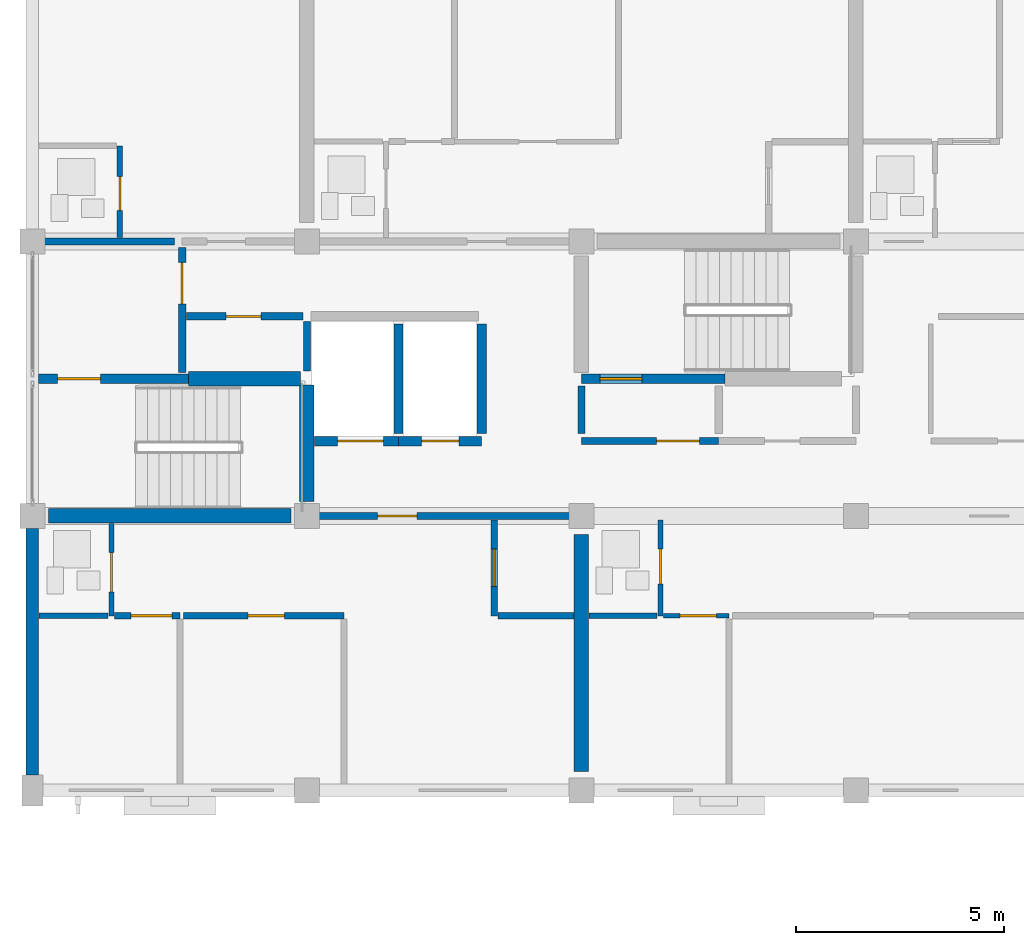
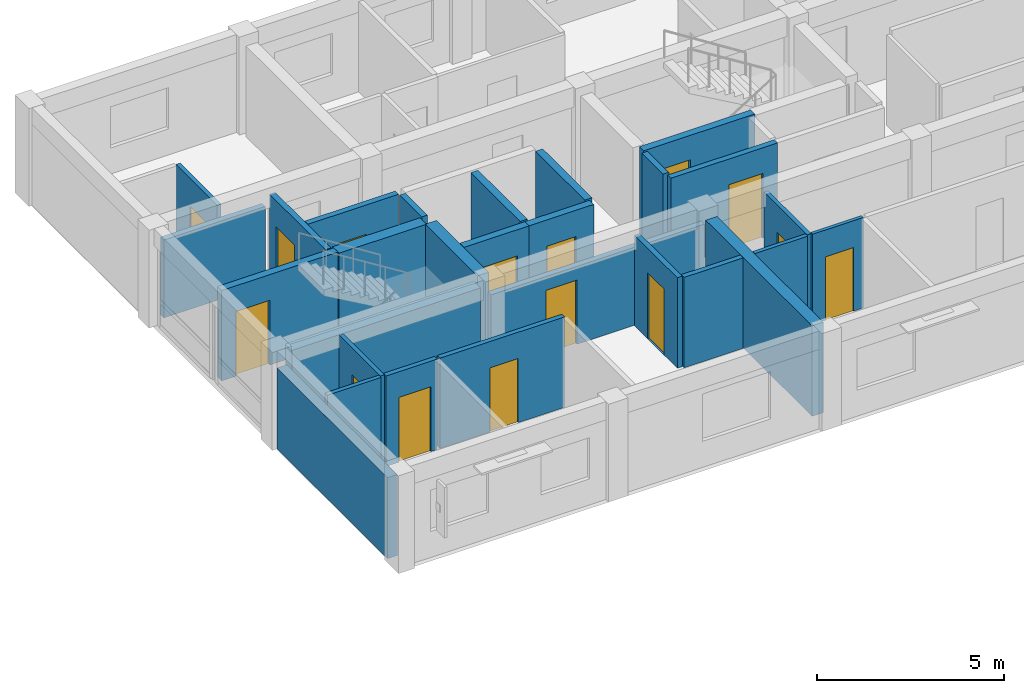
# One storey, part 33 of 52: 28 walls, 15 doors, 15 openings.
"""IFC4 building model written with IfcOpenShell, lengths in metres."""

from ifc_helpers import new_model, si_unit, direction, frame, frame_2d, origin, place, context, subcontext, project, spatial, rectangle, extrude, material, layer, layer_set, type_object, element, fill, save


model = new_model("IFC4")

# Units and contexts
model_context = context("Model", 3, precision=1e-05, world=origin(), true_north=direction((0.0, 1.0)))
body_context = subcontext(model_context, "Body", "Model", "MODEL_VIEW")
ifc_project = project(units=[si_unit("LENGTHUNIT", "METRE"), si_unit("AREAUNIT", "SQUARE_METRE"), si_unit("VOLUMEUNIT", "CUBIC_METRE"), si_unit("PLANEANGLEUNIT", "RADIAN"), si_unit("MASSUNIT", "GRAM", prefix="KILO")], contexts=[model_context])

# Site, building, storey
site_placement = place(None, origin())
site = spatial("IfcSite", under=ifc_project, at=site_placement, CompositionType="ELEMENT")
building_placement = place(site_placement, origin())
building = spatial("IfcBuilding", under=site, at=building_placement, Name="Kernevlak Ridge Housing Community", CompositionType="ELEMENT")
storey_placement = place(building_placement, frame((0.0, 0.0, 11.60009765625)))
storey = spatial("IfcBuildingStorey", under=building, at=storey_placement, Name="L03", CompositionType="ELEMENT", Elevation=11.60009765625)

# Wall
ifc_material_1 = material(Name="Concrete block masonry M10", Category="masonry")
ifc_layer_1 = layer(ifc_material_1, 0.300048828125, Name="Concrete block masonry M10")
ifc_layer_set_1 = layer_set([ifc_layer_1], Name="Concrete block masonry M10")
wall_type_1 = type_object("IfcWallType", Name="EW-01", PredefinedType="STANDARD", material=ifc_layer_set_1)
wall_1_placement = place(storey_placement, frame((15.60009765625, 76.375, 0.0), z_axis=(0.0, 0.0, 1.0), x_axis=(0.0, 1.0, 0.0)))
element("IfcWall", 1, at=wall_1_placement, inside=storey, type_object=wall_type_1, Name="Exterior wall EW-01 L03 57", PredefinedType="STANDARD", context=body_context, shape_type="SweptSolid", body=[
    extrude(rectangle(XDim=5.925048828125, YDim=0.300048828125, at=frame_2d((2.96240234375, 0.0))), origin(), (0.0, 0.0, 1.0), 2.64990234375),
])

# Wall, opening, door
ifc_material_2 = material(Name="Concrete C35/45", Category="concrete")
ifc_layer_2 = layer(ifc_material_2, 0.22509765625, Name="Concrete C35/45")
ifc_layer_set_2 = layer_set([ifc_layer_2], Name="Concrete C35/45")
wall_type_2 = type_object("IfcWallType", Name="PW-01", PredefinedType="STANDARD", material=ifc_layer_set_2)
wall_2_placement = place(storey_placement, frame((15.75, 85.89990234375, 0.0), z_axis=(0.0, 0.0, 1.0), x_axis=(1.0, 0.0, 0.0)))
wall_2 = element("IfcWall", 2, at=wall_2_placement, inside=storey, type_object=wall_type_2, Name="Interior wall PW-01 WAL-INT-L03-0191", PredefinedType="STANDARD", context=body_context, shape_type="SweptSolid", body=[
    extrude(rectangle(XDim=3.60009765625, YDim=0.22509765625, at=frame_2d((1.800048828125, 0.0))), origin(), (0.0, 0.0, 1.0), 2.9599609375),
])
opening_1_placement = place(wall_2_placement, frame((0.449951171875, 0.0, 0.0)))
opening_1 = element("IfcOpeningElement", 3, at=opening_1_placement, cuts=wall_2, Name="Opening D096", PredefinedType="OPENING", context=body_context, shape_type="SweptSolid", body=[
    extrude(rectangle(XDim=1.0400390625, YDim=2.1201171875, at=frame_2d((0.52001953125, 1.06005859375))), frame((0.0, 0.12255859375, 0.0), z_axis=(0.0, -1.0, 0.0), x_axis=(1.0, 0.0, 0.0)), (0.0, 0.0, 1.0), 0.2451171875),
])
ifc_material_3 = material(Name="Fire-rated sheet steel leaf", Category="steel")
door_type_1 = type_object("IfcDoorType", Name="DT-16", OperationType="NOTDEFINED", PredefinedType="DOOR", material=ifc_material_3)
door_1_placement = place(opening_1_placement, origin())
door_1 = element("IfcDoor", 4, at=door_1_placement, inside=storey, type_object=door_type_1, Name="Block A Stair 1 fire door D096", OperationType="SINGLE_SWING_RIGHT", OverallHeight=2.1201171875, OverallWidth=1.0400390625, PredefinedType="DOOR", context=body_context, shape_type="SweptSolid", body=[
    extrude(rectangle(XDim=1.0400390625, YDim=2.1201171875, at=frame_2d((0.52001953125, 1.06005859375))), frame((0.0, 0.02490234375, 0.0), z_axis=(0.0, -1.0, 0.0), x_axis=(1.0, 0.0, 0.0)), (0.0, 0.0, 1.0), 0.050048828125),
])
fill(opening_1, door_1)

wall_3_placement = place(storey_placement, frame((22.385009765625, 84.39990234375, 0.0), z_axis=(0.0, 0.0, 1.0), x_axis=(1.0, 0.0, 0.0)))
wall_3 = element("IfcWall", 5, at=wall_3_placement, inside=storey, type_object=wall_type_2, Name="Interior wall PW-01 WAL-INT-L03-0195", PredefinedType="STANDARD", context=body_context, shape_type="SweptSolid", body=[
    extrude(rectangle(XDim=2.014892578125, YDim=0.22509765625, at=frame_2d((1.00732421875, 0.0))), origin(), (0.0, 0.0, 1.0), 2.9599609375),
])
opening_2_placement = place(wall_3_placement, frame((0.550048828125, 0.0, 0.0)))
opening_2 = element("IfcOpeningElement", 6, at=opening_2_placement, cuts=wall_3, Name="Opening LD08", PredefinedType="OPENING", context=body_context, shape_type="SweptSolid", body=[
    extrude(rectangle(XDim=1.10009765625, YDim=2.10009765625, at=frame_2d((0.550048828125, 1.050048828125))), frame((0.0, 0.12255859375, 0.0), z_axis=(0.0, -1.0, 0.0), x_axis=(1.0, 0.0, 0.0)), (0.0, 0.0, 1.0), 0.2451171875),
])
ifc_material_4 = material(Name="Stainless steel EN 1.4401", Category="steel")
door_type_2 = type_object("IfcDoorType", Name="DT-LD1", OperationType="DOUBLE_DOOR_SLIDING", PredefinedType="DOOR", material=ifc_material_4)
door_2_placement = place(opening_2_placement, origin())
door_2 = element("IfcDoor", 7, at=door_2_placement, inside=storey, type_object=door_type_2, Name="Lift LF-A1 landing door LD08", OperationType="DOUBLE_DOOR_SLIDING", OverallHeight=2.10009765625, OverallWidth=1.10009765625, PredefinedType="DOOR", context=body_context, shape_type="SweptSolid", body=[
    extrude(rectangle(XDim=1.10009765625, YDim=2.10009765625, at=frame_2d((0.550048828125, 1.050048828125))), frame((0.0, 0.02490234375, 0.0), z_axis=(0.0, -1.0, 0.0), x_axis=(1.0, 0.0, 0.0)), (0.0, 0.0, 1.0), 0.050048828125),
])
fill(opening_2, door_2)

wall_4_placement = place(storey_placement, frame((24.39990234375, 84.39990234375, 0.0), z_axis=(0.0, 0.0, 1.0), x_axis=(1.0, 0.0, 0.0)))
wall_4 = element("IfcWall", 8, at=wall_4_placement, inside=storey, type_object=wall_type_2, Name="Interior wall PW-01 WAL-INT-L03-0196", PredefinedType="STANDARD", context=body_context, shape_type="SweptSolid", body=[
    extrude(rectangle(XDim=2.0, YDim=0.22509765625, at=frame_2d((1.0, 0.0))), origin(), (0.0, 0.0, 1.0), 2.9599609375),
])
opening_3_placement = place(wall_4_placement, frame((0.550048828125, 0.0, 0.0)))
opening_3 = element("IfcOpeningElement", 9, at=opening_3_placement, cuts=wall_4, Name="Opening LD09", PredefinedType="OPENING", context=body_context, shape_type="SweptSolid", body=[
    extrude(rectangle(XDim=0.89990234375, YDim=2.10009765625, at=frame_2d((0.449951171875, 1.050048828125))), frame((0.0, 0.12255859375, 0.0), z_axis=(0.0, -1.0, 0.0), x_axis=(1.0, 0.0, 0.0)), (0.0, 0.0, 1.0), 0.2451171875),
])
door_type_3 = type_object("IfcDoorType", Name="DT-LD2", OperationType="DOUBLE_DOOR_SLIDING", PredefinedType="DOOR", material=ifc_material_4)
door_3_placement = place(opening_3_placement, origin())
door_3 = element("IfcDoor", 10, at=door_3_placement, inside=storey, type_object=door_type_3, Name="Lift LF-A2 landing door LD09", OperationType="DOUBLE_DOOR_SLIDING", OverallHeight=2.10009765625, OverallWidth=0.89990234375, PredefinedType="DOOR", context=body_context, shape_type="SweptSolid", body=[
    extrude(rectangle(XDim=0.89990234375, YDim=2.10009765625, at=frame_2d((0.449951171875, 1.050048828125))), frame((0.0, 0.02490234375, 0.0), z_axis=(0.0, -1.0, 0.0), x_axis=(1.0, 0.0, 0.0)), (0.0, 0.0, 1.0), 0.050048828125),
])
fill(opening_3, door_3)

# Walls
for number, where, z_axis, x_axis, name in (
    (11, (24.39990234375, 84.580078125, 0.0), (0.0, 0.0, 1.0), (0.0, 1.0, 0.0), "Interior wall PW-01 WAL-INT-L03-0199"),
    (12, (26.39990234375, 84.580078125, 0.0), (0.0, 0.0, 1.0), (0.0, 1.0, 0.0), "Interior wall PW-01 WAL-INT-L03-0200"),
):
    element("IfcWall", number, at=place(storey_placement, frame(where, z_axis=z_axis, x_axis=x_axis)), inside=storey, type_object=wall_type_2, Name=name, PredefinedType="STANDARD", context=body_context, shape_type="SweptSolid", body=[
        extrude(rectangle(XDim=2.639892578125, YDim=0.22509765625, at=frame_2d((1.31982421875, 0.0))), origin(), (0.0, 0.0, 1.0), 2.9599609375),
    ])

# Wall, opening, door
wall_5_placement = place(storey_placement, frame((28.800048828125, 85.89990234375, 0.0), z_axis=(0.0, 0.0, 1.0), x_axis=(1.0, 0.0, 0.0)))
wall_5 = element("IfcWall", 13, at=wall_5_placement, inside=storey, type_object=wall_type_2, Name="Interior wall PW-01 WAL-INT-L03-0201", PredefinedType="STANDARD", context=body_context, shape_type="SweptSolid", body=[
    extrude(rectangle(XDim=3.449951171875, YDim=0.22509765625, at=frame_2d((1.72509765625, 0.0))), origin(), (0.0, 0.0, 1.0), 2.9599609375),
])
opening_4_placement = place(wall_5_placement, frame((0.449951171875, 0.0, 0.0)))
opening_4 = element("IfcOpeningElement", 14, at=opening_4_placement, cuts=wall_5, Name="Opening D099", PredefinedType="OPENING", context=body_context, shape_type="SweptSolid", body=[
    extrude(rectangle(XDim=1.0, YDim=2.159912109375, at=frame_2d((0.5, 1.080078125))), frame((0.0, 0.12255859375, 0.0), z_axis=(0.0, -1.0, 0.0), x_axis=(1.0, 0.0, 0.0)), (0.0, 0.0, 1.0), 0.2451171875),
])
door_type_4 = type_object("IfcDoorType", Name="DT-15", OperationType="NOTDEFINED", PredefinedType="DOOR", material=ifc_material_3)
door_4_placement = place(opening_4_placement, origin())
door_4 = element("IfcDoor", 15, at=door_4_placement, inside=storey, type_object=door_type_4, Name="Block A Stair 2 fire door D099", OperationType="SINGLE_SWING_LEFT", OverallHeight=2.159912109375, OverallWidth=1.0, PredefinedType="DOOR", context=body_context, shape_type="SweptSolid", body=[
    extrude(rectangle(XDim=1.0, YDim=2.159912109375, at=frame_2d((0.5, 1.080078125))), frame((0.0, 0.02490234375, 0.0), z_axis=(0.0, -1.0, 0.0), x_axis=(1.0, 0.0, 0.0)), (0.0, 0.0, 1.0), 0.050048828125),
])
fill(opening_4, door_4)

ifc_layer_3 = layer(ifc_material_1, 0.175048828125, Name="Concrete block masonry M10")
ifc_layer_set_3 = layer_set([ifc_layer_3], Name="Concrete block masonry M10")
wall_type_3 = type_object("IfcWallType", Name="PW-02", PredefinedType="PARTITIONING", material=ifc_layer_set_3)
wall_6_placement = place(storey_placement, frame((19.199951171875, 86.050048828125, 0.0), z_axis=(0.0, 0.0, 1.0), x_axis=(0.0, 1.0, 0.0)))
wall_6 = element("IfcWall", 16, at=wall_6_placement, inside=storey, type_object=wall_type_3, Name="Interior wall PW-02 WAL-INT-L03-0192", PredefinedType="PARTITIONING", context=body_context, shape_type="SweptSolid", body=[
    extrude(rectangle(XDim=3.0, YDim=0.175048828125, at=frame_2d((1.5, 0.0))), origin(), (0.0, 0.0, 1.0), 2.9599609375),
])
opening_5_placement = place(wall_6_placement, frame((1.64990234375, 0.0, 0.0)))
opening_5 = element("IfcOpeningElement", 17, at=opening_5_placement, cuts=wall_6, Name="Opening D097", PredefinedType="OPENING", context=body_context, shape_type="SweptSolid", body=[
    extrude(rectangle(XDim=1.0, YDim=2.10009765625, at=frame_2d((0.5, 1.050048828125))), frame((0.0, 0.097412109375, 0.0), z_axis=(0.0, -1.0, 0.0), x_axis=(1.0, 0.0, 0.0)), (0.0, 0.0, 1.0), 0.195068359375),
])
door_type_5 = type_object("IfcDoorType", Name="DT-05", OperationType="NOTDEFINED", PredefinedType="DOOR", material=ifc_material_3)
door_5_placement = place(opening_5_placement, origin())
door_5 = element("IfcDoor", 18, at=door_5_placement, inside=storey, type_object=door_type_5, Name="Block A Firefighting lobby 1 door D097", OperationType="SINGLE_SWING_LEFT", OverallHeight=2.10009765625, OverallWidth=1.0, PredefinedType="DOOR", context=body_context, shape_type="SweptSolid", body=[
    extrude(rectangle(XDim=1.0, YDim=2.10009765625, at=frame_2d((0.5, 1.050048828125))), frame((0.0, 0.02490234375, 0.0), z_axis=(0.0, -1.0, 0.0), x_axis=(1.0, 0.0, 0.0)), (0.0, 0.0, 1.0), 0.050048828125),
])
fill(opening_5, door_5)

wall_7_placement = place(storey_placement, frame((19.300048828125, 87.39990234375, 0.0), z_axis=(0.0, 0.0, 1.0), x_axis=(1.0, 0.0, 0.0)))
wall_7 = element("IfcWall", 19, at=wall_7_placement, inside=storey, type_object=wall_type_3, Name="Interior wall PW-02 WAL-INT-L03-0193", PredefinedType="PARTITIONING", context=body_context, shape_type="SweptSolid", body=[
    extrude(rectangle(XDim=2.800048828125, YDim=0.175048828125, at=frame_2d((1.39990234375, 0.0))), origin(), (0.0, 0.0, 1.0), 2.9599609375),
])
opening_6_placement = place(wall_7_placement, frame((0.949951171875, 0.0, 0.0)))
opening_6 = element("IfcOpeningElement", 20, at=opening_6_placement, cuts=wall_7, Name="Opening D098", PredefinedType="OPENING", context=body_context, shape_type="SweptSolid", body=[
    extrude(rectangle(XDim=0.85009765625, YDim=2.0, at=frame_2d((0.425048828125, 1.0))), frame((0.0, 0.097412109375, 0.0), z_axis=(0.0, -1.0, 0.0), x_axis=(1.0, 0.0, 0.0)), (0.0, 0.0, 1.0), 0.195068359375),
])
door_type_6 = type_object("IfcDoorType", Name="DT-07", OperationType="NOTDEFINED", PredefinedType="DOOR", material=ifc_material_3)
door_6_placement = place(opening_6_placement, origin())
door_6 = element("IfcDoor", 21, at=door_6_placement, inside=storey, type_object=door_type_6, Name="Block A Riser shaft door D098", OperationType="SINGLE_SWING_RIGHT", OverallHeight=2.0, OverallWidth=0.85009765625, PredefinedType="DOOR", context=body_context, shape_type="SweptSolid", body=[
    extrude(rectangle(XDim=0.85009765625, YDim=2.0, at=frame_2d((0.425048828125, 1.0))), frame((0.0, 0.02490234375, 0.0), z_axis=(0.0, -1.0, 0.0), x_axis=(1.0, 0.0, 0.0)), (0.0, 0.0, 1.0), 0.050048828125),
])
fill(opening_6, door_6)

# Wall
wall_8_placement = place(storey_placement, frame((22.199951171875, 86.080078125, 0.0), z_axis=(0.0, 0.0, 1.0), x_axis=(0.0, 1.0, 0.0)))
element("IfcWall", 22, at=wall_8_placement, inside=storey, type_object=wall_type_3, Name="Interior wall PW-02 WAL-INT-L03-0194", PredefinedType="PARTITIONING", context=body_context, shape_type="SweptSolid", body=[
    extrude(rectangle(XDim=1.18994140625, YDim=0.175048828125, at=frame_2d((0.594970703125, 0.0))), origin(), (0.0, 0.0, 1.0), 2.9599609375),
])

# Wall, opening, door
wall_9_placement = place(storey_placement, frame((28.800048828125, 84.39990234375, 0.0), z_axis=(0.0, 0.0, 1.0), x_axis=(1.0, 0.0, 0.0)))
wall_9 = element("IfcWall", 23, at=wall_9_placement, inside=storey, type_object=wall_type_3, Name="Interior wall PW-02 WAL-INT-L03-0202", PredefinedType="PARTITIONING", context=body_context, shape_type="SweptSolid", body=[
    extrude(rectangle(XDim=3.300048828125, YDim=0.175048828125, at=frame_2d((1.64990234375, 0.0))), origin(), (0.0, 0.0, 1.0), 2.9599609375),
])
opening_7_placement = place(wall_9_placement, frame((1.800048828125, 0.0, 0.0)))
opening_7 = element("IfcOpeningElement", 24, at=opening_7_placement, cuts=wall_9, Name="Opening D100", PredefinedType="OPENING", context=body_context, shape_type="SweptSolid", body=[
    extrude(rectangle(XDim=1.0400390625, YDim=2.1201171875, at=frame_2d((0.52001953125, 1.06005859375))), frame((0.0, 0.097412109375, 0.0), z_axis=(0.0, -1.0, 0.0), x_axis=(1.0, 0.0, 0.0)), (0.0, 0.0, 1.0), 0.195068359375),
])
door_7_placement = place(opening_7_placement, origin())
door_7 = element("IfcDoor", 25, at=door_7_placement, inside=storey, type_object=door_type_1, Name="Block A Firefighting lobby 2 door D100", OperationType="SINGLE_SWING_RIGHT", OverallHeight=2.1201171875, OverallWidth=1.0400390625, PredefinedType="DOOR", context=body_context, shape_type="SweptSolid", body=[
    extrude(rectangle(XDim=1.0400390625, YDim=2.1201171875, at=frame_2d((0.52001953125, 1.06005859375))), frame((0.0, 0.02490234375, 0.0), z_axis=(0.0, -1.0, 0.0), x_axis=(1.0, 0.0, 0.0)), (0.0, 0.0, 1.0), 0.050048828125),
])
fill(opening_7, door_7)

# Wall
wall_10_placement = place(storey_placement, frame((28.800048828125, 84.580078125, 0.0), z_axis=(0.0, 0.0, 1.0), x_axis=(0.0, 1.0, 0.0)))
element("IfcWall", 26, at=wall_10_placement, inside=storey, type_object=wall_type_3, Name="Interior wall PW-02 WAL-INT-L03-0204", PredefinedType="PARTITIONING", context=body_context, shape_type="SweptSolid", body=[
    extrude(rectangle(XDim=1.139892578125, YDim=0.175048828125, at=frame_2d((0.56982421875, 0.0))), origin(), (0.0, 0.0, 1.0), 2.9599609375),
])

# Wall, opening, door
wall_11_placement = place(storey_placement, frame((22.199951171875, 82.60009765625, 0.0), z_axis=(0.0, 0.0, 1.0), x_axis=(1.0, 0.0, 0.0)))
wall_11 = element("IfcWall", 27, at=wall_11_placement, inside=storey, type_object=wall_type_3, Name="Interior wall PW-02 WAL-INT-L03-0212", PredefinedType="PARTITIONING", context=body_context, shape_type="SweptSolid", body=[
    extrude(rectangle(XDim=6.60009765625, YDim=0.175048828125, at=frame_2d((3.300048828125, 0.0))), origin(), (0.0, 0.0, 1.0), 2.5498046875),
])
opening_8_placement = place(wall_11_placement, frame((1.699951171875, 0.0, 0.0)))
opening_8 = element("IfcOpeningElement", 28, at=opening_8_placement, cuts=wall_11, Name="Opening D104", PredefinedType="OPENING", context=body_context, shape_type="SweptSolid", body=[
    extrude(rectangle(XDim=0.949951171875, YDim=2.10009765625, at=frame_2d((0.47509765625, 1.050048828125))), frame((0.0, 0.097412109375, 0.0), z_axis=(0.0, -1.0, 0.0), x_axis=(1.0, 0.0, 0.0)), (0.0, 0.0, 1.0), 0.195068359375),
])
ifc_material_5 = material(Name="Hardwood timber solid-core fire leaf", Category="wood")
door_type_7 = type_object("IfcDoorType", Name="DT-01", OperationType="NOTDEFINED", PredefinedType="DOOR", material=ifc_material_5)
door_8_placement = place(opening_8_placement, origin())
door_8 = element("IfcDoor", 29, at=door_8_placement, inside=storey, type_object=door_type_7, Name="Flat A0311 entrance fire door D104", OperationType="SINGLE_SWING_RIGHT", OverallHeight=2.10009765625, OverallWidth=0.949951171875, PredefinedType="DOOR", context=body_context, shape_type="SweptSolid", body=[
    extrude(rectangle(XDim=0.949951171875, YDim=2.10009765625, at=frame_2d((0.47509765625, 1.050048828125))), frame((0.0, 0.02490234375, 0.0), z_axis=(0.0, -1.0, 0.0), x_axis=(1.0, 0.0, 0.0)), (0.0, 0.0, 1.0), 0.050048828125),
])
fill(opening_8, door_8)

# Wall
wall_12_placement = place(storey_placement, frame((15.8798828125, 89.199951171875, 0.0), z_axis=(0.0, 0.0, 1.0), x_axis=(1.0, 0.0, 0.0)))
element("IfcWall", 30, at=wall_12_placement, inside=storey, type_object=wall_type_3, Name="Interior wall PW-02 WAL-INT-L03-0230", PredefinedType="PARTITIONING", context=body_context, shape_type="SweptSolid", body=[
    extrude(rectangle(XDim=3.14013671875, YDim=0.175048828125, at=frame_2d((1.570068359375, 0.0))), origin(), (0.0, 0.0, 1.0), 2.5498046875),
])

# Wall, opening, door
ifc_layer_4 = layer(ifc_material_1, 0.14501953125, Name="Concrete block masonry M10")
ifc_layer_set_4 = layer_set([ifc_layer_4], Name="Concrete block masonry M10")
wall_type_4 = type_object("IfcWallType", Name="PW-03", PredefinedType="PARTITIONING", material=ifc_layer_set_4)
wall_13_placement = place(storey_placement, frame((17.572509765625, 80.199951171875, 0.0), z_axis=(0.0, 0.0, 1.0), x_axis=(1.0, 0.0, 0.0)))
wall_13 = element("IfcWall", 31, at=wall_13_placement, inside=storey, type_object=wall_type_4, Name="Interior wall PW-03 WAL-INT-L03-0217", PredefinedType="PARTITIONING", context=body_context, shape_type="SweptSolid", body=[
    extrude(rectangle(XDim=1.577392578125, YDim=0.14501953125, at=frame_2d((0.78857421875, 0.0))), origin(), (0.0, 0.0, 1.0), 2.9599609375),
])
opening_9_placement = place(wall_13_placement, frame((0.39990234375, 0.0, 0.0)))
opening_9 = element("IfcOpeningElement", 32, at=opening_9_placement, cuts=wall_13, Name="Opening D107", PredefinedType="OPENING", context=body_context, shape_type="SweptSolid", body=[
    extrude(rectangle(XDim=0.97998046875, YDim=2.1201171875, at=frame_2d((0.489990234375, 1.06005859375))), frame((0.0, 0.08251953125, 0.0), z_axis=(0.0, -1.0, 0.0), x_axis=(1.0, 0.0, 0.0)), (0.0, 0.0, 1.0), 0.1650390625),
])
ifc_material_6 = material(Name="Hardwood timber leaf", Category="wood")
door_type_8 = type_object("IfcDoorType", Name="DT-24", OperationType="NOTDEFINED", PredefinedType="DOOR", material=ifc_material_6)
door_9_placement = place(opening_9_placement, origin())
door_9 = element("IfcDoor", 33, at=door_9_placement, inside=storey, type_object=door_type_8, Name="Flat A0311 bedroom door D107", OperationType="SINGLE_SWING_LEFT", OverallHeight=2.1201171875, OverallWidth=0.97998046875, PredefinedType="DOOR", context=body_context, shape_type="SweptSolid", body=[
    extrude(rectangle(XDim=0.97998046875, YDim=2.1201171875, at=frame_2d((0.489990234375, 1.06005859375))), frame((0.0, 0.02490234375, 0.0), z_axis=(0.0, -1.0, 0.0), x_axis=(1.0, 0.0, 0.0)), (0.0, 0.0, 1.0), 0.050048828125),
])
fill(opening_9, door_9)

wall_14_placement = place(storey_placement, frame((19.232421875, 80.199951171875, 0.0), z_axis=(0.0, 0.0, 1.0), x_axis=(1.0, 0.0, 0.0)))
wall_14 = element("IfcWall", 34, at=wall_14_placement, inside=storey, type_object=wall_type_4, Name="Interior wall PW-03 WAL-INT-L03-0219", PredefinedType="PARTITIONING", context=body_context, shape_type="SweptSolid", body=[
    extrude(rectangle(XDim=3.859619140625, YDim=0.14501953125, at=frame_2d((1.9296875, 0.0))), origin(), (0.0, 0.0, 1.0), 2.9599609375),
])
opening_10_placement = place(wall_14_placement, frame((1.5458984375, 0.0, 0.0)))
opening_10 = element("IfcOpeningElement", 35, at=opening_10_placement, cuts=wall_14, Name="Opening D108", PredefinedType="OPENING", context=body_context, shape_type="SweptSolid", body=[
    extrude(rectangle(XDim=0.8798828125, YDim=2.10009765625, at=frame_2d((0.43994140625, 1.050048828125))), frame((0.0, 0.08251953125, 0.0), z_axis=(0.0, -1.0, 0.0), x_axis=(1.0, 0.0, 0.0)), (0.0, 0.0, 1.0), 0.1650390625),
])
door_type_9 = type_object("IfcDoorType", Name="DT-25", OperationType="NOTDEFINED", PredefinedType="DOOR", material=ifc_material_6)
door_10_placement = place(opening_10_placement, origin())
door_10 = element("IfcDoor", 36, at=door_10_placement, inside=storey, type_object=door_type_9, Name="Flat A0311 bedroom door D108", OperationType="SINGLE_SWING_RIGHT", OverallHeight=2.10009765625, OverallWidth=0.8798828125, PredefinedType="DOOR", context=body_context, shape_type="SweptSolid", body=[
    extrude(rectangle(XDim=0.8798828125, YDim=2.10009765625, at=frame_2d((0.43994140625, 1.050048828125))), frame((0.0, 0.02490234375, 0.0), z_axis=(0.0, -1.0, 0.0), x_axis=(1.0, 0.0, 0.0)), (0.0, 0.0, 1.0), 0.050048828125),
])
fill(opening_10, door_10)

ifc_material_7 = material(Name="Gypsum plasterboard EN 520", Category="gypsum")
ifc_layer_5 = layer(ifc_material_7, 0.125, Name="Gypsum plasterboard EN 520")
ifc_layer_set_5 = layer_set([ifc_layer_5], Name="Gypsum plasterboard EN 520")
wall_type_5 = type_object("IfcWallType", Name="PW-04", PredefinedType="PARTITIONING", material=ifc_layer_set_5)
wall_15_placement = place(storey_placement, frame((17.5, 82.4150390625, 0.0), z_axis=(0.0, 0.0, 1.0), x_axis=(0.0, -1.0, 0.0)))
wall_15 = element("IfcWall", 37, at=wall_15_placement, inside=storey, type_object=wall_type_5, Name="Interior wall PW-04 WAL-INT-L03-0213", PredefinedType="PARTITIONING", context=body_context, shape_type="SweptSolid", body=[
    extrude(rectangle(XDim=2.215087890625, YDim=0.125, at=frame_2d((1.107421875, 0.0))), origin(), (0.0, 0.0, 1.0), 2.9599609375),
])
opening_11_placement = place(wall_15_placement, frame((0.699951171875, 0.0, 0.0)))
opening_11 = element("IfcOpeningElement", 38, at=opening_11_placement, cuts=wall_15, Name="Opening D105", PredefinedType="OPENING", context=body_context, shape_type="SweptSolid", body=[
    extrude(rectangle(XDim=0.93994140625, YDim=2.080078125, at=frame_2d((0.469970703125, 1.0400390625))), frame((0.0, 0.072509765625, 0.0), z_axis=(0.0, -1.0, 0.0), x_axis=(1.0, 0.0, 0.0)), (0.0, 0.0, 1.0), 0.14501953125),
])
ifc_material_8 = material(Name="Hardwood timber moisture-resistant leaf", Category="wood")
door_type_10 = type_object("IfcDoorType", Name="DT-23", OperationType="NOTDEFINED", PredefinedType="DOOR", material=ifc_material_8)
door_11_placement = place(opening_11_placement, origin())
door_11 = element("IfcDoor", 39, at=door_11_placement, inside=storey, type_object=door_type_10, Name="Flat A0311 bathroom door D105", OperationType="SINGLE_SWING_LEFT", OverallHeight=2.080078125, OverallWidth=0.93994140625, PredefinedType="DOOR", context=body_context, shape_type="SweptSolid", body=[
    extrude(rectangle(XDim=0.93994140625, YDim=2.080078125, at=frame_2d((0.469970703125, 1.0400390625))), frame((0.0, 0.02490234375, 0.0), z_axis=(0.0, -1.0, 0.0), x_axis=(1.0, 0.0, 0.0)), (0.0, 0.0, 1.0), 0.050048828125),
])
fill(opening_11, door_11)

# Wall
wall_16_placement = place(storey_placement, frame((15.760009765625, 80.199951171875, 0.0), z_axis=(0.0, 0.0, 1.0), x_axis=(1.0, 0.0, 0.0)))
element("IfcWall", 40, at=wall_16_placement, inside=storey, type_object=wall_type_5, Name="Interior wall PW-04 WAL-INT-L03-0214", PredefinedType="PARTITIONING", context=body_context, shape_type="SweptSolid", body=[
    extrude(rectangle(XDim=1.659912109375, YDim=0.125, at=frame_2d((0.830078125, 0.0))), origin(), (0.0, 0.0, 1.0), 2.9599609375),
])

# Wall, opening, door
wall_17_placement = place(storey_placement, frame((30.699951171875, 82.50244140625, 0.0), z_axis=(0.0, 0.0, 1.0), x_axis=(0.0, -1.0, 0.0)))
wall_17 = element("IfcWall", 41, at=wall_17_placement, inside=storey, type_object=wall_type_5, Name="Interior wall PW-04 WAL-INT-L03-0222", PredefinedType="PARTITIONING", context=body_context, shape_type="SweptSolid", body=[
    extrude(rectangle(XDim=2.302490234375, YDim=0.125, at=frame_2d((1.1513671875, 0.0))), origin(), (0.0, 0.0, 1.0), 2.9599609375),
])
opening_12_placement = place(wall_17_placement, frame((0.699951171875, 0.0, 0.0)))
opening_12 = element("IfcOpeningElement", 42, at=opening_12_placement, cuts=wall_17, Name="Opening D110", PredefinedType="OPENING", context=body_context, shape_type="SweptSolid", body=[
    extrude(rectangle(XDim=0.840087890625, YDim=2.06005859375, at=frame_2d((0.419921875, 1.030029296875))), frame((0.0, 0.072509765625, 0.0), z_axis=(0.0, -1.0, 0.0), x_axis=(1.0, 0.0, 0.0)), (0.0, 0.0, 1.0), 0.14501953125),
])
door_type_11 = type_object("IfcDoorType", Name="DT-27", OperationType="NOTDEFINED", PredefinedType="DOOR", material=ifc_material_8)
door_12_placement = place(opening_12_placement, origin())
door_12 = element("IfcDoor", 43, at=door_12_placement, inside=storey, type_object=door_type_11, Name="Flat A0312 bathroom door D110", OperationType="SINGLE_SWING_RIGHT", OverallHeight=2.06005859375, OverallWidth=0.840087890625, PredefinedType="DOOR", context=body_context, shape_type="SweptSolid", body=[
    extrude(rectangle(XDim=0.840087890625, YDim=2.06005859375, at=frame_2d((0.419921875, 1.030029296875))), frame((0.0, 0.02490234375, 0.0), z_axis=(0.0, -1.0, 0.0), x_axis=(1.0, 0.0, 0.0)), (0.0, 0.0, 1.0), 0.050048828125),
])
fill(opening_12, door_12)

# Wall
wall_18_placement = place(storey_placement, frame((28.985107421875, 80.199951171875, 0.0), z_axis=(0.0, 0.0, 1.0), x_axis=(1.0, 0.0, 0.0)))
element("IfcWall", 44, at=wall_18_placement, inside=storey, type_object=wall_type_5, Name="Interior wall PW-04 WAL-INT-L03-0223", PredefinedType="PARTITIONING", context=body_context, shape_type="SweptSolid", body=[
    extrude(rectangle(XDim=1.635009765625, YDim=0.125, at=frame_2d((0.8173828125, 0.0))), origin(), (0.0, 0.0, 1.0), 2.9599609375),
])

# Wall, opening, door
wall_19_placement = place(storey_placement, frame((17.699951171875, 89.297607421875, 0.0), z_axis=(0.0, 0.0, 1.0), x_axis=(0.0, 1.0, 0.0)))
wall_19 = element("IfcWall", 45, at=wall_19_placement, inside=storey, type_object=wall_type_5, Name="Interior wall PW-04 WAL-INT-L03-0232", PredefinedType="PARTITIONING", context=body_context, shape_type="SweptSolid", body=[
    extrude(rectangle(XDim=2.202392578125, YDim=0.125, at=frame_2d((1.10107421875, 0.0))), origin(), (0.0, 0.0, 1.0), 2.9599609375),
])
opening_13_placement = place(wall_19_placement, frame((0.64990234375, 0.0, 0.0)))
opening_13 = element("IfcOpeningElement", 46, at=opening_13_placement, cuts=wall_19, Name="Opening D115", PredefinedType="OPENING", context=body_context, shape_type="SweptSolid", body=[
    extrude(rectangle(XDim=0.820068359375, YDim=2.050048828125, at=frame_2d((0.41015625, 1.02490234375))), frame((0.0, 0.072509765625, 0.0), z_axis=(0.0, -1.0, 0.0), x_axis=(1.0, 0.0, 0.0)), (0.0, 0.0, 1.0), 0.14501953125),
])
door_type_12 = type_object("IfcDoorType", Name="DT-30", OperationType="NOTDEFINED", PredefinedType="DOOR", material=ifc_material_8)
door_13_placement = place(opening_13_placement, origin())
door_13 = element("IfcDoor", 47, at=door_13_placement, inside=storey, type_object=door_type_12, Name="Flat A0321 bathroom door D115", OperationType="SINGLE_SWING_LEFT", OverallHeight=2.050048828125, OverallWidth=0.820068359375, PredefinedType="DOOR", context=body_context, shape_type="SweptSolid", body=[
    extrude(rectangle(XDim=0.820068359375, YDim=2.050048828125, at=frame_2d((0.41015625, 1.02490234375))), frame((0.0, 0.02490234375, 0.0), z_axis=(0.0, -1.0, 0.0), x_axis=(1.0, 0.0, 0.0)), (0.0, 0.0, 1.0), 0.050048828125),
])
fill(opening_13, door_13)

ifc_layer_6 = layer(ifc_material_7, 0.155029296875, Name="Gypsum plasterboard EN 520")
ifc_layer_set_6 = layer_set([ifc_layer_6], Name="Gypsum plasterboard EN 520")
wall_type_6 = type_object("IfcWallType", Name="PW-05", PredefinedType="PARTITIONING", material=ifc_layer_set_6)
wall_20_placement = place(storey_placement, frame((26.699951171875, 82.50244140625, 0.0), z_axis=(0.0, 0.0, 1.0), x_axis=(0.0, -1.0, 0.0)))
wall_20 = element("IfcWall", 48, at=wall_20_placement, inside=storey, type_object=wall_type_6, Name="Interior wall PW-05 WAL-INT-L03-0215", PredefinedType="PARTITIONING", context=body_context, shape_type="SweptSolid", body=[
    extrude(rectangle(XDim=2.302490234375, YDim=0.155029296875, at=frame_2d((1.1513671875, 0.0))), origin(), (0.0, 0.0, 1.0), 2.9599609375),
])
opening_14_placement = place(wall_20_placement, frame((0.699951171875, 0.0, 0.0)))
opening_14 = element("IfcOpeningElement", 49, at=opening_14_placement, cuts=wall_20, Name="Opening D106", PredefinedType="OPENING", context=body_context, shape_type="SweptSolid", body=[
    extrude(rectangle(XDim=0.89990234375, YDim=2.159912109375, at=frame_2d((0.449951171875, 1.080078125))), frame((0.0, 0.08740234375, 0.0), z_axis=(0.0, -1.0, 0.0), x_axis=(1.0, 0.0, 0.0)), (0.0, 0.0, 1.0), 0.175048828125),
])
door_type_13 = type_object("IfcDoorType", Name="DT-22", OperationType="NOTDEFINED", PredefinedType="DOOR", material=ifc_material_6)
door_14_placement = place(opening_14_placement, origin())
door_14 = element("IfcDoor", 50, at=door_14_placement, inside=storey, type_object=door_type_13, Name="Flat A0311 kitchen door D106", OperationType="SINGLE_SWING_RIGHT", OverallHeight=2.159912109375, OverallWidth=0.89990234375, PredefinedType="DOOR", context=body_context, shape_type="SweptSolid", body=[
    extrude(rectangle(XDim=0.89990234375, YDim=2.159912109375, at=frame_2d((0.449951171875, 1.080078125))), frame((0.0, 0.02490234375, 0.0), z_axis=(0.0, -1.0, 0.0), x_axis=(1.0, 0.0, 0.0)), (0.0, 0.0, 1.0), 0.050048828125),
])
fill(opening_14, door_14)

# Wall
wall_21_placement = place(storey_placement, frame((26.78759765625, 80.199951171875, 0.0), z_axis=(0.0, 0.0, 1.0), x_axis=(1.0, 0.0, 0.0)))
element("IfcWall", 51, at=wall_21_placement, inside=storey, type_object=wall_type_6, Name="Interior wall PW-05 WAL-INT-L03-0216", PredefinedType="PARTITIONING", context=body_context, shape_type="SweptSolid", body=[
    extrude(rectangle(XDim=1.827392578125, YDim=0.155029296875, at=frame_2d((0.91357421875, 0.0))), origin(), (0.0, 0.0, 1.0), 2.9599609375),
])

# Wall, opening, door
ifc_layer_7 = layer(ifc_material_7, 0.10498046875, Name="Gypsum plasterboard EN 520")
ifc_layer_set_7 = layer_set([ifc_layer_7], Name="Gypsum plasterboard EN 520")
wall_type_7 = type_object("IfcWallType", Name="PW-06", PredefinedType="PARTITIONING", material=ifc_layer_set_7)
wall_22_placement = place(storey_placement, frame((30.7724609375, 80.199951171875, 0.0), z_axis=(0.0, 0.0, 1.0), x_axis=(1.0, 0.0, 0.0)))
wall_22 = element("IfcWall", 52, at=wall_22_placement, inside=storey, type_object=wall_type_7, Name="Interior wall PW-06 WAL-INT-L03-0226", PredefinedType="PARTITIONING", context=body_context, shape_type="SweptSolid", body=[
    extrude(rectangle(XDim=1.57763671875, YDim=0.10498046875, at=frame_2d((0.788818359375, 0.0))), origin(), (0.0, 0.0, 1.0), 2.9599609375),
])
opening_15_placement = place(wall_22_placement, frame((0.39990234375, 0.0, 0.0)))
opening_15 = element("IfcOpeningElement", 53, at=opening_15_placement, cuts=wall_22, Name="Opening D112", PredefinedType="OPENING", context=body_context, shape_type="SweptSolid", body=[
    extrude(rectangle(XDim=0.8701171875, YDim=2.080078125, at=frame_2d((0.43505859375, 1.0400390625))), frame((0.0, 0.0625, 0.0), z_axis=(0.0, -1.0, 0.0), x_axis=(1.0, 0.0, 0.0)), (0.0, 0.0, 1.0), 0.125),
])
door_type_14 = type_object("IfcDoorType", Name="DT-32", OperationType="NOTDEFINED", PredefinedType="DOOR", material=ifc_material_6)
door_15_placement = place(opening_15_placement, origin())
door_15 = element("IfcDoor", 54, at=door_15_placement, inside=storey, type_object=door_type_14, Name="Flat A0312 bedroom door D112", OperationType="SINGLE_SWING_RIGHT", OverallHeight=2.080078125, OverallWidth=0.8701171875, PredefinedType="DOOR", context=body_context, shape_type="SweptSolid", body=[
    extrude(rectangle(XDim=0.8701171875, YDim=2.080078125, at=frame_2d((0.43505859375, 1.0400390625))), frame((0.0, 0.02490234375, 0.0), z_axis=(0.0, -1.0, 0.0), x_axis=(1.0, 0.0, 0.0)), (0.0, 0.0, 1.0), 0.050048828125),
])
fill(opening_15, door_15)

# Walls
ifc_material_9 = material(Name="Concrete C40/50", Category="concrete")
ifc_layer_8 = layer(ifc_material_9, 0.35009765625, Name="Concrete C40/50")
ifc_layer_set_8 = layer_set([ifc_layer_8], Name="Concrete C40/50")
wall_type_8 = type_object("IfcWallType", Name="SW-01", PredefinedType="SHEAR", material=ifc_layer_set_8)
wall_23_placement = place(storey_placement, frame((15.97998046875, 82.60009765625, 0.0), z_axis=(0.0, 0.0, 1.0), x_axis=(1.0, 0.0, 0.0)))
element("IfcWall", 55, at=wall_23_placement, inside=storey, type_object=wall_type_8, Name="Shear wall SW-01 Block A L03 41", PredefinedType="SHEAR", context=body_context, shape_type="SweptSolid", body=[
    extrude(rectangle(XDim=5.840087890625, YDim=0.35009765625, at=frame_2d((2.919921875, 0.0))), origin(), (0.0, 0.0, 1.0), 2.9599609375),
])
wall_24_placement = place(storey_placement, frame((19.35009765625, 85.89990234375, 0.0), z_axis=(0.0, 0.0, 1.0), x_axis=(1.0, 0.0, 0.0)))
element("IfcWall", 56, at=wall_24_placement, inside=storey, type_object=wall_type_8, Name="Shear wall SW-01 Block A L03 42", PredefinedType="SHEAR", context=body_context, shape_type="SweptSolid", body=[
    extrude(rectangle(XDim=2.699951171875, YDim=0.35009765625, at=frame_2d((1.35009765625, 0.0))), origin(), (0.0, 0.0, 1.0), 2.9599609375),
])
wall_25_placement = place(storey_placement, frame((22.199951171875, 82.949951171875, 0.0), z_axis=(0.0, 0.0, 1.0), x_axis=(0.0, 1.0, 0.0)))
element("IfcWall", 57, at=wall_25_placement, inside=storey, type_object=wall_type_8, Name="Shear wall SW-01 Block A L03 43", PredefinedType="SHEAR", context=body_context, shape_type="SweptSolid", body=[
    extrude(rectangle(XDim=2.800048828125, YDim=0.35009765625, at=frame_2d((1.39990234375, 0.0))), origin(), (0.0, 0.0, 1.0), 2.9599609375),
])
wall_26_placement = place(storey_placement, frame((28.800048828125, 76.449951171875, 0.0), z_axis=(0.0, 0.0, 1.0), x_axis=(0.0, 1.0, 0.0)))
element("IfcWall", 58, at=wall_26_placement, inside=storey, type_object=wall_type_8, Name="Shear wall SW-01 Block A L03 48", PredefinedType="SHEAR", context=body_context, shape_type="SweptSolid", body=[
    extrude(rectangle(XDim=5.699951171875, YDim=0.35009765625, at=frame_2d((2.85009765625, 0.0))), origin(), (0.0, 0.0, 1.0), 2.9599609375),
])

save(model, "model.ifc")
